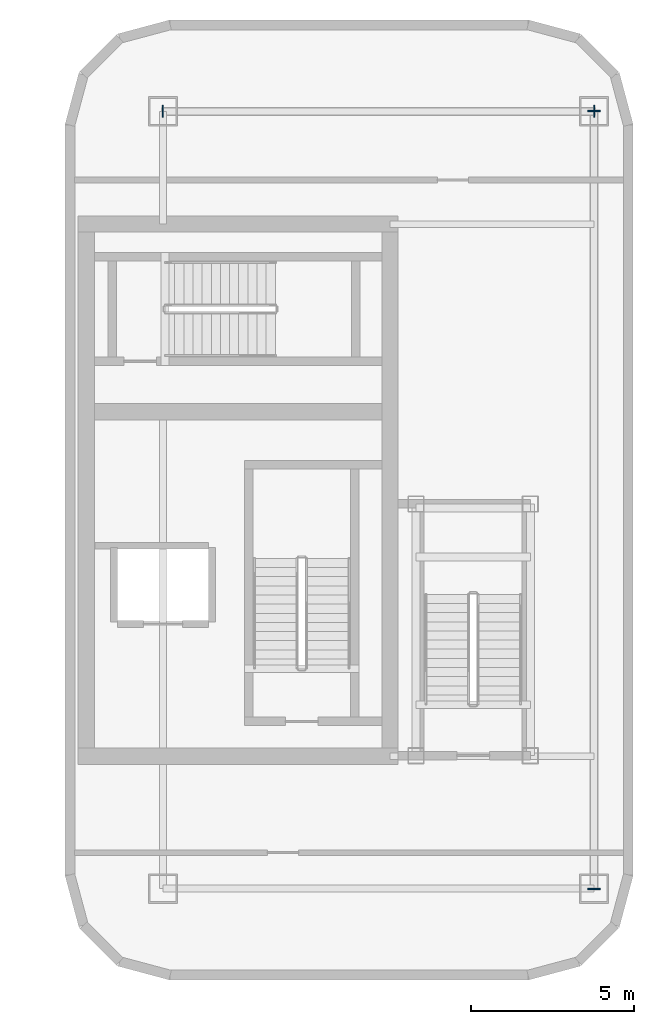
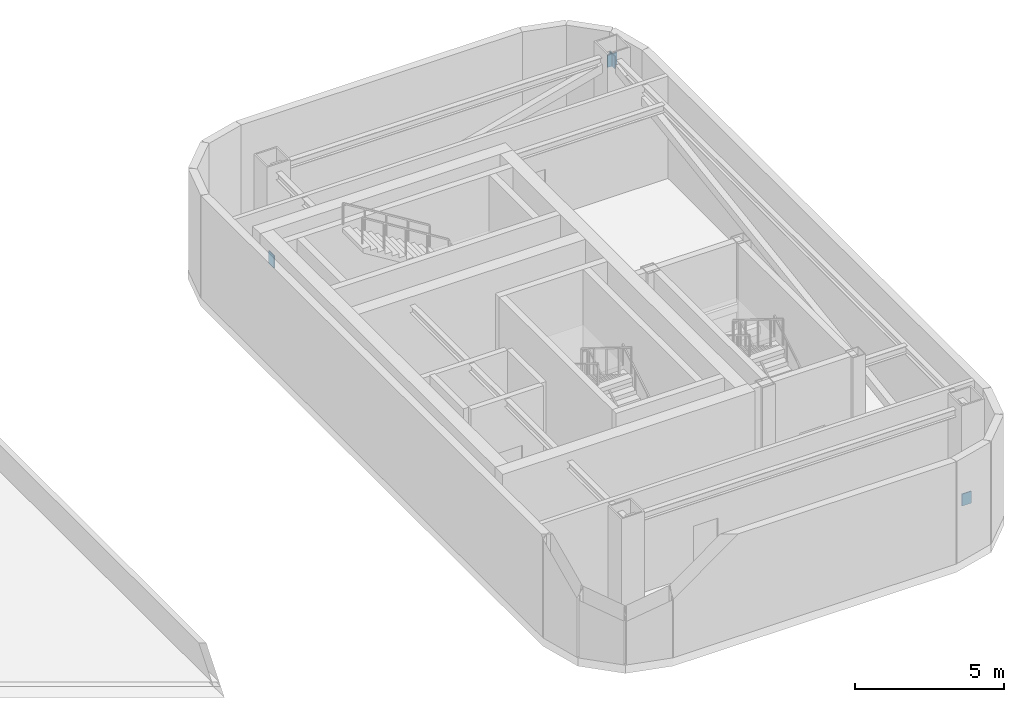
# One storey, part 2 of 6: 4 plates.
"""IFC4 building model written with IfcOpenShell, lengths in metres."""

from ifc_helpers import new_model, si_unit, direction, frame, origin, origin_2d, place, context, subcontext, project, spatial, rectangle, extrude, material, layer, layer_set, type_object, element, save


model = new_model("IFC4")

# Units and contexts
model_context = context("Model", 3, precision=1e-05, world=origin(), true_north=direction((0.0, 1.0)))
body_context = subcontext(model_context, "Body", "Model", "MODEL_VIEW")
ifc_project = project(units=[si_unit("LENGTHUNIT", "METRE"), si_unit("AREAUNIT", "SQUARE_METRE"), si_unit("VOLUMEUNIT", "CUBIC_METRE"), si_unit("PLANEANGLEUNIT", "RADIAN"), si_unit("MASSUNIT", "GRAM", prefix="KILO")], contexts=[model_context])

# Site, building, storey
site_placement = place(None, origin())
site = spatial("IfcSite", under=ifc_project, at=site_placement, CompositionType="ELEMENT")
building_placement = place(site_placement, origin())
building = spatial("IfcBuilding", under=site, at=building_placement, Name="Kiyonajd Concourse Tower", CompositionType="ELEMENT")
storey_placement = place(building_placement, frame((0.0, 0.0, 368.39990234375)))
storey = spatial("IfcBuildingStorey", under=building, at=storey_placement, Name="L92", CompositionType="ELEMENT", Elevation=368.39990234375)

# Plates
ifc_material = material(Name="Steel ASTM A572 Grade 50", Category="steel")
ifc_layer = layer(ifc_material, 0.028076171875)
ifc_layer_set = layer_set([ifc_layer], Name="Steel ASTM A572 Grade 50")
plate_type = type_object("IfcPlateType", Name="PL-CAP-450", PredefinedType="USERDEFINED", material=ifc_layer_set)
for number, where, z_axis, x_axis, name in (
    (1, (56.389404296875, 47.60009765625, 0.046142578125), (0.0, 0.0, 1.0), (-1.0, 0.0, 0.0), "L92 Crown Wind Brace Cap"),
    (2, (69.610595703125, 47.60009765625, 3.60205078125), (0.0, 0.0, 1.0), (1.0, 0.0, 0.0), "L92 Crown Wind Brace Cap"),
):
    element("IfcPlate", number, at=place(storey_placement, frame(where, z_axis=z_axis, x_axis=x_axis)), inside=storey, type_object=plate_type, Name=name, ObjectType="CAP PLATE", PredefinedType="USERDEFINED", context=body_context, shape_type="SweptSolid", body=[
        extrude(rectangle(XDim=0.035888671875, YDim=0.3701171875, at=origin_2d()), origin(), (0.0, 0.0, 1.0), 0.501953125),
    ])
for number, where, z_axis, x_axis, name in (
    (3, (69.60009765625, 23.7890625, 0.0517578125), (0.0, 0.0, 1.0), (0.0, -1.0, 0.0), "L92 Crown Wind Brace Cap"),
    (4, (69.60009765625, 47.61083984375, 3.60498046875), (0.0, 0.0, 1.0), (0.0, 1.0, 0.0), "L92 Crown Wind Brace Cap"),
):
    element("IfcPlate", number, at=place(storey_placement, frame(where, z_axis=z_axis, x_axis=x_axis)), inside=storey, type_object=plate_type, Name=name, ObjectType="CAP PLATE", PredefinedType="USERDEFINED", context=body_context, shape_type="SweptSolid", body=[
        extrude(rectangle(XDim=0.035888671875, YDim=0.3701171875, at=origin_2d()), origin(), (0.0, 0.0, 1.0), 0.493896484375),
    ])

save(model, "model.ifc")
